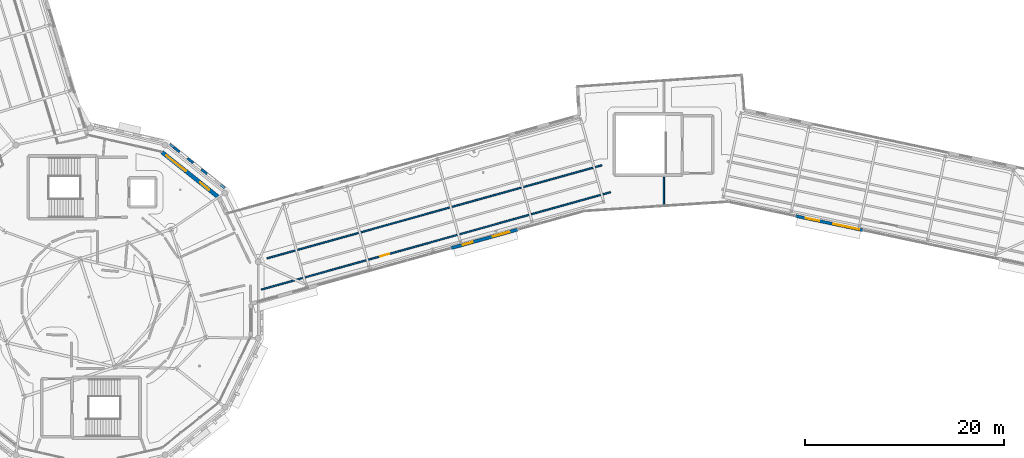
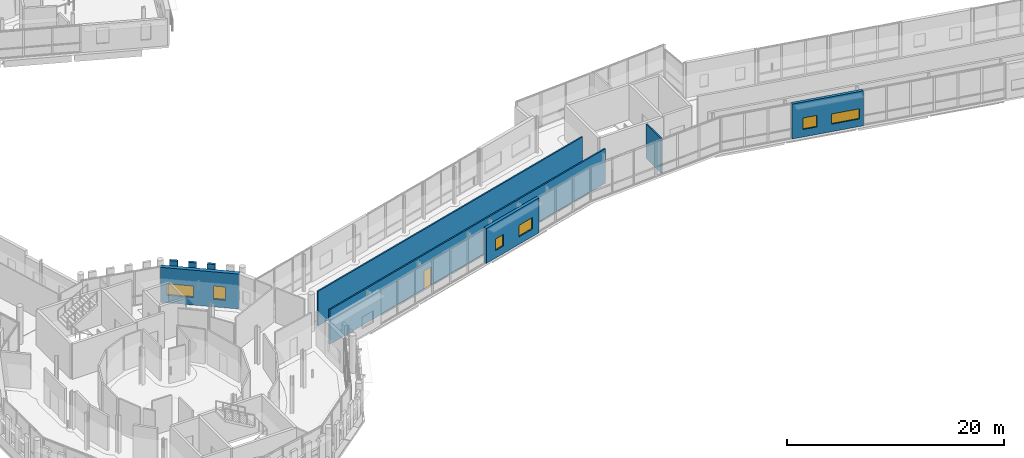
# One storey, part 90 of 125: 10 walls, 6 windows, 1 door, 7 openings.
"""IFC4 building model written with IfcOpenShell, lengths in metres."""

from ifc_helpers import new_model, si_unit, direction, frame, frame_2d, origin, place, context, subcontext, project, spatial, rectangle, extrude, material, layer, layer_set, type_object, element, fill, save


model = new_model("IFC4")

# Units and contexts
model_context = context("Model", 3, precision=1e-05, world=origin(), true_north=direction((0.0, 1.0)))
body_context = subcontext(model_context, "Body", "Model", "MODEL_VIEW")
ifc_project = project(units=[si_unit("LENGTHUNIT", "METRE"), si_unit("AREAUNIT", "SQUARE_METRE"), si_unit("VOLUMEUNIT", "CUBIC_METRE"), si_unit("PLANEANGLEUNIT", "RADIAN"), si_unit("MASSUNIT", "GRAM", prefix="KILO")], contexts=[model_context])

# Site, building, storey
site_placement = place(None, origin())
site = spatial("IfcSite", under=ifc_project, at=site_placement, CompositionType="ELEMENT")
building_placement = place(site_placement, origin())
building = spatial("IfcBuilding", under=site, at=building_placement, Name="Wrenclough Park School", CompositionType="ELEMENT")
storey_placement = place(building_placement, frame((0.0, 0.0, 4.199951171875)))
storey = spatial("IfcBuildingStorey", under=building, at=storey_placement, Name="L01", CompositionType="ELEMENT", Elevation=4.199951171875)

# Walls
ifc_material_1 = material(Name="Perforated open-bond Staffordshire and Manchester brick screen pier", Category="masonry")
ifc_layer_1 = layer(ifc_material_1, 0.2451171875)
ifc_layer_set_1 = layer_set([ifc_layer_1], Name="Perforated open-bond Staffordshire and Manchester brick screen pier")
wall_type_1 = type_object("IfcWallType", Name="ENV-BS-PR245", PredefinedType="ELEMENTEDWALL", material=ifc_layer_set_1)
for number, where, z_axis, x_axis, name in (
    (1, (48.185791015625, 36.14697265625, 1.090087890625), (0.0, 0.0, 1.0), (-0.781833401173, 0.623487395872, 0.0), "D2 L01 perforated brick screen pier 0234"),
    (2, (46.80810546875, 37.24560546875, 1.090087890625), (0.0, 0.0, 1.0), (-0.781833401173, 0.623487395872, 0.0), "D2 L01 perforated brick screen pier 0235"),
    (3, (45.4306640625, 38.34423828125, 1.090087890625), (0.0, 0.0, 1.0), (-0.781833401173, 0.623487395872, 0.0), "D2 L01 perforated brick screen pier 0236"),
):
    element("IfcWall", number, at=place(storey_placement, frame(where, z_axis=z_axis, x_axis=x_axis)), inside=storey, type_object=wall_type_1, Name=name, PredefinedType="ELEMENTEDWALL", context=body_context, shape_type="SweptSolid", body=[
        extrude(rectangle(XDim=0.739990234375, YDim=0.2451171875, at=frame_2d((0.3701171875, 0.0))), origin(), (0.0, 0.0, 1.0), 2.849853515625),
    ])
ifc_material_2 = material(Name="Open-bond Manchester multi-stock brick spandrel screen", Category="masonry")
ifc_layer_2 = layer(ifc_material_2, 0.22509765625)
ifc_layer_set_2 = layer_set([ifc_layer_2], Name="Open-bond Manchester multi-stock brick spandrel screen")
wall_type_2 = type_object("IfcWallType", Name="ENV-BS-SP225", PredefinedType="ELEMENTEDWALL", material=ifc_layer_set_2)
wall_1_placement = place(storey_placement, frame((49.962890625, 34.729736328125, 0.0), z_axis=(0.0, 0.0, 1.0), x_axis=(-0.781827630302, 0.623494632291, 0.0)))
element("IfcWall", 4, at=wall_1_placement, inside=storey, type_object=wall_type_2, Name="D2 L01 open-bond brick screen spandrel 0063", PredefinedType="ELEMENTEDWALL", context=body_context, shape_type="SweptSolid", body=[
    extrude(rectangle(XDim=7.04833984375, YDim=0.22509765625, at=frame_2d((3.524169921875, 0.0))), origin(), (0.0, 0.0, 1.0), 1.090087890625),
])

# Wall, openings, windows
ifc_material_3 = material(Name="Manchester multi-stock brick and Concrete C32/40 inner leaf", Category="masonry")
ifc_layer_3 = layer(ifc_material_3, 0.300048828125)
ifc_layer_set_3 = layer_set([ifc_layer_3], Name="Manchester multi-stock brick and Concrete C32/40 inner leaf")
wall_type_3 = type_object("IfcWallType", Name="ENV-EW-300", PredefinedType="SOLIDWALL", material=ifc_layer_set_3)
wall_2_placement = place(storey_placement, frame((113.97998046875, 30.4931640625, 0.0), z_axis=(0.0, 0.0, 1.0), x_axis=(-0.978380606667, 0.206812447639, 0.0)))
wall_2 = element("IfcWall", 5, at=wall_2_placement, inside=storey, type_object=wall_type_3, Name="L01 insulated brick external wall 0104", PredefinedType="SOLIDWALL", context=body_context, shape_type="SweptSolid", body=[
    extrude(rectangle(XDim=6.9189453125, YDim=0.300048828125, at=frame_2d((3.45947265625, 0.0))), origin(), (0.0, 0.0, 1.0), 3.93994140625),
])
opening_1_placement = place(wall_2_placement, frame((0.379638671875, 0.0, 0.85009765625)))
opening_1 = element("IfcOpeningElement", 6, at=opening_1_placement, cuts=wall_2, Name="Opening WN-42", PredefinedType="OPENING", context=body_context, shape_type="SweptSolid", body=[
    extrude(rectangle(XDim=2.699951171875, YDim=1.14990234375, at=frame_2d((1.35009765625, 0.574951171875))), frame((0.0, 0.159912109375, 0.0), z_axis=(0.0, -1.0, 0.0), x_axis=(1.0, 0.0, 0.0)), (0.0, 0.0, 1.0), 0.320068359375),
])
opening_2_placement = place(wall_2_placement, frame((4.51416015625, 0.0, 0.85009765625)))
opening_2 = element("IfcOpeningElement", 7, at=opening_2_placement, cuts=wall_2, Name="Opening WN-43", PredefinedType="OPENING", context=body_context, shape_type="SweptSolid", body=[
    extrude(rectangle(XDim=1.35009765625, YDim=1.300048828125, at=frame_2d((0.675048828125, 0.64990234375))), frame((0.0, 0.159912109375, 0.0), z_axis=(0.0, -1.0, 0.0), x_axis=(1.0, 0.0, 0.0)), (0.0, 0.0, 1.0), 0.320068359375),
])
ifc_material_4 = material(Name="Thermally broken aluminium and double-glazed low-e glass", Category="aluminium")
window_type_1 = type_object("IfcWindowType", Name="ENV-WN-42", PartitioningType="DOUBLE_PANEL_VERTICAL", PredefinedType="WINDOW", material=ifc_material_4)
window_1_placement = place(opening_1_placement, origin())
window_1 = element("IfcWindow", 8, at=window_1_placement, inside=storey, type_object=window_type_1, Name="L01 scheduled facade window 0153", OverallHeight=1.14990234375, OverallWidth=2.699951171875, PartitioningType="SINGLE_PANEL", PredefinedType="WINDOW", context=body_context, shape_type="SweptSolid", body=[
    extrude(rectangle(XDim=2.699951171875, YDim=1.14990234375, at=frame_2d((1.35009765625, 0.574951171875))), frame((0.0, 0.030029296875, 0.0), z_axis=(0.0, -1.0, 0.0), x_axis=(1.0, 0.0, 0.0)), (0.0, 0.0, 1.0), 0.06005859375),
])
fill(opening_1, window_1)
window_type_2 = type_object("IfcWindowType", Name="ENV-WN-43", PartitioningType="SINGLE_PANEL", PredefinedType="WINDOW", material=ifc_material_4)
window_2_placement = place(opening_2_placement, origin())
window_2 = element("IfcWindow", 9, at=window_2_placement, inside=storey, type_object=window_type_2, Name="L01 scheduled facade window 0154", OverallHeight=1.300048828125, OverallWidth=1.35009765625, PartitioningType="SINGLE_PANEL", PredefinedType="WINDOW", context=body_context, shape_type="SweptSolid", body=[
    extrude(rectangle(XDim=1.35009765625, YDim=1.300048828125, at=frame_2d((0.675048828125, 0.64990234375))), frame((0.0, 0.030029296875, 0.0), z_axis=(0.0, -1.0, 0.0), x_axis=(1.0, 0.0, 0.0)), (0.0, 0.0, 1.0), 0.06005859375),
])
fill(opening_2, window_2)

ifc_layer_4 = layer(ifc_material_3, 0.324951171875)
ifc_layer_set_4 = layer_set([ifc_layer_4], Name="Manchester multi-stock brick and Concrete C32/40 inner leaf")
wall_type_4 = type_object("IfcWallType", Name="ENV-EW-325", PredefinedType="SOLIDWALL", material=ifc_layer_set_4)
wall_3_placement = place(storey_placement, frame((79.345947265625, 30.564453125, 0.0), z_axis=(0.0, 0.0, 1.0), x_axis=(-0.963400554219, -0.268065984658, 0.0)))
wall_3 = element("IfcWall", 10, at=wall_3_placement, inside=storey, type_object=wall_type_4, Name="L01 insulated brick external wall 0105", PredefinedType="SOLIDWALL", context=body_context, shape_type="SweptSolid", body=[
    extrude(rectangle(XDim=6.949951171875, YDim=0.324951171875, at=frame_2d((3.47509765625, 0.0))), origin(), (0.0, 0.0, 1.0), 3.93994140625),
])
opening_3_placement = place(wall_3_placement, frame((0.862548828125, 0.0, 0.85009765625)))
opening_3 = element("IfcOpeningElement", 11, at=opening_3_placement, cuts=wall_3, Name="Opening WN-44", PredefinedType="OPENING", context=body_context, shape_type="SweptSolid", body=[
    extrude(rectangle(XDim=1.75, YDim=1.300048828125, at=frame_2d((0.875, 0.64990234375))), frame((0.0, 0.17236328125, 0.0), z_axis=(0.0, -1.0, 0.0), x_axis=(1.0, 0.0, 0.0)), (0.0, 0.0, 1.0), 0.344970703125),
])
opening_4_placement = place(wall_3_placement, frame((4.71240234375, 0.0, 0.85009765625)))
opening_4 = element("IfcOpeningElement", 12, at=opening_4_placement, cuts=wall_3, Name="Opening WN-45", PredefinedType="OPENING", context=body_context, shape_type="SweptSolid", body=[
    extrude(rectangle(XDim=1.0, YDim=1.300048828125, at=frame_2d((0.5, 0.64990234375))), frame((0.0, 0.17236328125, 0.0), z_axis=(0.0, -1.0, 0.0), x_axis=(1.0, 0.0, 0.0)), (0.0, 0.0, 1.0), 0.344970703125),
])
window_type_3 = type_object("IfcWindowType", Name="ENV-WN-44", PartitioningType="DOUBLE_PANEL_VERTICAL", PredefinedType="WINDOW", material=ifc_material_4)
window_3_placement = place(opening_3_placement, origin())
window_3 = element("IfcWindow", 13, at=window_3_placement, inside=storey, type_object=window_type_3, Name="L01 scheduled facade window 0155", OverallHeight=1.300048828125, OverallWidth=1.75, PartitioningType="SINGLE_PANEL", PredefinedType="WINDOW", context=body_context, shape_type="SweptSolid", body=[
    extrude(rectangle(XDim=1.75, YDim=1.300048828125, at=frame_2d((0.875, 0.64990234375))), frame((0.0, 0.030029296875, 0.0), z_axis=(0.0, -1.0, 0.0), x_axis=(1.0, 0.0, 0.0)), (0.0, 0.0, 1.0), 0.06005859375),
])
fill(opening_3, window_3)
window_type_4 = type_object("IfcWindowType", Name="ENV-WN-45", PartitioningType="SINGLE_PANEL", PredefinedType="WINDOW", material=ifc_material_4)
window_4_placement = place(opening_4_placement, origin())
window_4 = element("IfcWindow", 14, at=window_4_placement, inside=storey, type_object=window_type_4, Name="L01 scheduled facade window 0156", OverallHeight=1.300048828125, OverallWidth=1.0, PartitioningType="SINGLE_PANEL", PredefinedType="WINDOW", context=body_context, shape_type="SweptSolid", body=[
    extrude(rectangle(XDim=1.0, YDim=1.300048828125, at=frame_2d((0.5, 0.64990234375))), frame((0.0, 0.030029296875, 0.0), z_axis=(0.0, -1.0, 0.0), x_axis=(1.0, 0.0, 0.0)), (0.0, 0.0, 1.0), 0.06005859375),
])
fill(opening_4, window_4)

ifc_material_5 = material(Name="Staffordshire blue-grey brick and Concrete C40/50 acoustic leaf", Category="masonry")
ifc_layer_5 = layer(ifc_material_5, 0.39990234375)
ifc_layer_set_5 = layer_set([ifc_layer_5], Name="Staffordshire blue-grey brick and Concrete C40/50 acoustic leaf")
wall_type_5 = type_object("IfcWallType", Name="ENV-EW-400", PredefinedType="SOLIDWALL", material=ifc_layer_set_5)
wall_4_placement = place(storey_placement, frame((43.649169921875, 38.34521484375, 0.0), z_axis=(0.0, 0.0, 1.0), x_axis=(0.781819636461, -0.623504655992, 0.0)))
wall_4 = element("IfcWall", 15, at=wall_4_placement, inside=storey, type_object=wall_type_5, Name="L01 insulated brick external wall 0108", PredefinedType="SOLIDWALL", context=body_context, shape_type="SweptSolid", body=[
    extrude(rectangle(XDim=7.332763671875, YDim=0.39990234375, at=frame_2d((3.66650390625, 0.0))), origin(), (0.0, 0.0, 1.0), 3.93994140625),
])
opening_5_placement = place(wall_4_placement, frame((0.583251953125, 0.0, 0.85009765625)))
opening_5 = element("IfcOpeningElement", 16, at=opening_5_placement, cuts=wall_4, Name="Opening WN-49", PredefinedType="OPENING", context=body_context, shape_type="SweptSolid", body=[
    extrude(rectangle(XDim=2.5, YDim=1.300048828125, at=frame_2d((1.25, 0.64990234375))), frame((0.0, 0.2099609375, 0.0), z_axis=(0.0, -1.0, 0.0), x_axis=(1.0, 0.0, 0.0)), (0.0, 0.0, 1.0), 0.419921875),
])
opening_6_placement = place(wall_4_placement, frame((4.924560546875, 0.0, 0.85009765625)))
opening_6 = element("IfcOpeningElement", 17, at=opening_6_placement, cuts=wall_4, Name="Opening WN-50", PredefinedType="OPENING", context=body_context, shape_type="SweptSolid", body=[
    extrude(rectangle(XDim=1.14990234375, YDim=1.5, at=frame_2d((0.574951171875, 0.75))), frame((0.0, 0.2099609375, 0.0), z_axis=(0.0, -1.0, 0.0), x_axis=(1.0, 0.0, 0.0)), (0.0, 0.0, 1.0), 0.419921875),
])
window_type_5 = type_object("IfcWindowType", Name="ENV-WN-49", PartitioningType="DOUBLE_PANEL_VERTICAL", PredefinedType="WINDOW", material=ifc_material_4)
window_5_placement = place(opening_5_placement, origin())
window_5 = element("IfcWindow", 18, at=window_5_placement, inside=storey, type_object=window_type_5, Name="L01 scheduled facade window 0160", OverallHeight=1.300048828125, OverallWidth=2.5, PartitioningType="SINGLE_PANEL", PredefinedType="WINDOW", context=body_context, shape_type="SweptSolid", body=[
    extrude(rectangle(XDim=2.5, YDim=1.300048828125, at=frame_2d((1.25, 0.64990234375))), frame((0.0, 0.030029296875, 0.0), z_axis=(0.0, -1.0, 0.0), x_axis=(1.0, 0.0, 0.0)), (0.0, 0.0, 1.0), 0.06005859375),
])
fill(opening_5, window_5)
window_type_6 = type_object("IfcWindowType", Name="ENV-WN-50", PartitioningType="SINGLE_PANEL", PredefinedType="WINDOW", material=ifc_material_4)
window_6_placement = place(opening_6_placement, origin())
window_6 = element("IfcWindow", 19, at=window_6_placement, inside=storey, type_object=window_type_6, Name="L01 scheduled facade window 0161", OverallHeight=1.5, OverallWidth=1.14990234375, PartitioningType="SINGLE_PANEL", PredefinedType="WINDOW", context=body_context, shape_type="SweptSolid", body=[
    extrude(rectangle(XDim=1.14990234375, YDim=1.5, at=frame_2d((0.574951171875, 0.75))), frame((0.0, 0.030029296875, 0.0), z_axis=(0.0, -1.0, 0.0), x_axis=(1.0, 0.0, 0.0)), (0.0, 0.0, 1.0), 0.06005859375),
])
fill(opening_6, window_6)

# Walls
ifc_material_6 = material(Name="Protected corridor partition", Category="gypsum")
ifc_layer_6 = layer(ifc_material_6, 0.14990234375)
ifc_layer_set_6 = layer_set([ifc_layer_6], Name="Protected corridor partition")
wall_type_6 = type_object("IfcWallType", Name="INT-PW-150", PredefinedType="PARTITIONING", material=ifc_layer_set_6)
wall_5_placement = place(storey_placement, frame((94.0, 33.040283203125, 0.0), z_axis=(0.0, 0.0, 1.0), x_axis=(0.0, 1.0, 0.0)))
element("IfcWall", 20, at=wall_5_placement, inside=storey, type_object=wall_type_6, Name="L01 internal partition 0272", PredefinedType="PARTITIONING", context=body_context, shape_type="SweptSolid", body=[
    extrude(rectangle(XDim=2.754638671875, YDim=0.14990234375, at=frame_2d((1.37744140625, 0.0))), origin(), (0.0, 0.0, 1.0), 3.900146484375),
])
wall_6_placement = place(storey_placement, frame((54.197021484375, 27.677001953125, 0.0), z_axis=(0.0, 0.0, 1.0), x_axis=(0.963429558344, 0.267961725082, 0.0)))
element("IfcWall", 21, at=wall_6_placement, inside=storey, type_object=wall_type_6, Name="L01 internal partition 0276", PredefinedType="PARTITIONING", context=body_context, shape_type="SweptSolid", body=[
    extrude(rectangle(XDim=34.85888671875, YDim=0.14990234375, at=frame_2d((17.429443359375, 0.0))), origin(), (0.0, 0.0, 1.0), 3.900146484375),
])

# Wall, opening, door
wall_7_placement = place(storey_placement, frame((88.6494140625, 34.31298828125, 0.0), z_axis=(0.0, 0.0, 1.0), x_axis=(-0.963271330132, -0.26852996955, 0.0)))
wall_7 = element("IfcWall", 22, at=wall_7_placement, inside=storey, type_object=wall_type_6, Name="L01 internal partition 0277", PredefinedType="PARTITIONING", context=body_context, shape_type="SweptSolid", body=[
    extrude(rectangle(XDim=36.34521484375, YDim=0.14990234375, at=frame_2d((18.172607421875, 0.0))), origin(), (0.0, 0.0, 1.0), 3.900146484375),
])
opening_7_placement = place(wall_7_placement, frame((23.0263671875, 0.0, 0.0)))
opening_7 = element("IfcOpeningElement", 23, at=opening_7_placement, cuts=wall_7, Name="Opening DR-L01-051", PredefinedType="OPENING", context=body_context, shape_type="SweptSolid", body=[
    extrude(rectangle(XDim=0.919921875, YDim=2.080078125, at=frame_2d((0.4599609375, 1.0400390625))), frame((0.0, 0.0849609375, 0.0), z_axis=(0.0, -1.0, 0.0), x_axis=(1.0, 0.0, 0.0)), (0.0, 0.0, 1.0), 0.169921875),
])
ifc_material_7 = material(Name="Acoustic classroom single leaf vision door assembly", Category="wood")
door_type = type_object("IfcDoorType", Name="INT-DR-CL092", OperationType="NOTDEFINED", PredefinedType="DOOR", material=ifc_material_7)
door_placement = place(opening_7_placement, origin())
door = element("IfcDoor", 24, at=door_placement, inside=storey, type_object=door_type, Name="Drama Tutorial Classroom door DR-L01-051", OperationType="SINGLE_SWING_RIGHT", OverallHeight=2.080078125, OverallWidth=0.919921875, PredefinedType="DOOR", context=body_context, shape_type="SweptSolid", body=[
    extrude(rectangle(XDim=0.919921875, YDim=2.080078125, at=frame_2d((0.4599609375, 1.0400390625))), frame((0.0, 0.02490234375, 0.0), z_axis=(0.0, -1.0, 0.0), x_axis=(1.0, 0.0, 0.0)), (0.0, 0.0, 1.0), 0.050048828125),
])
fill(opening_7, door)

save(model, "model.ifc")
